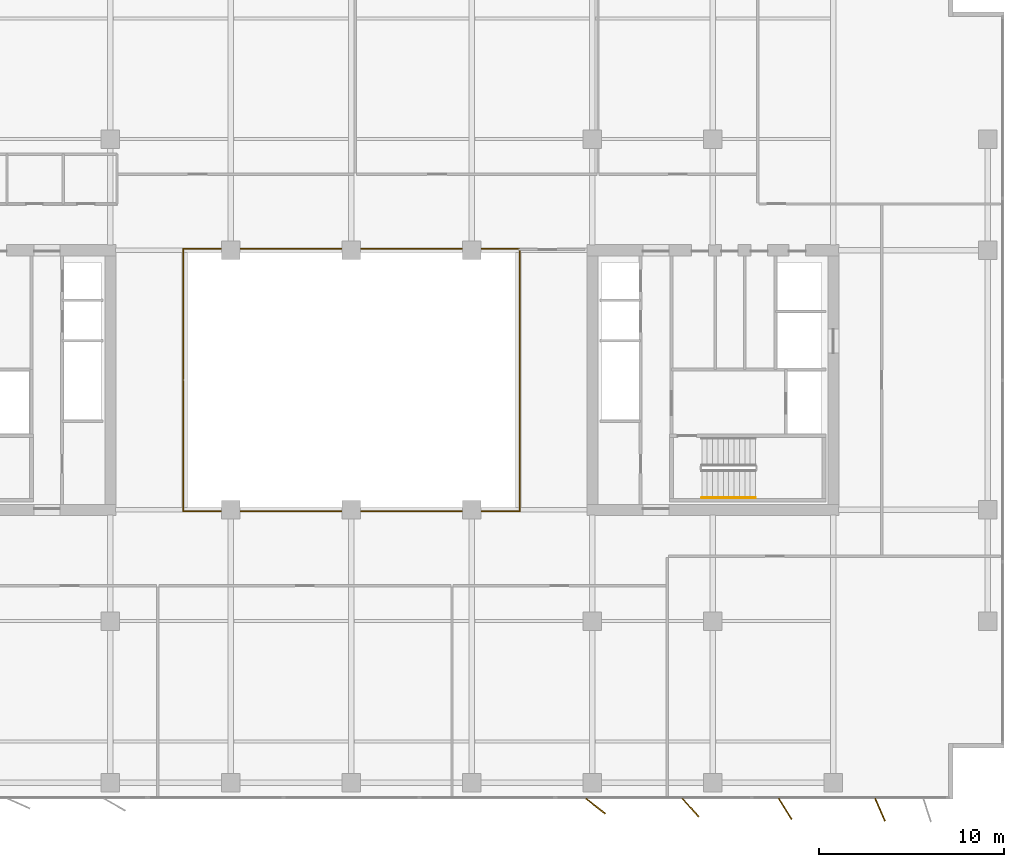
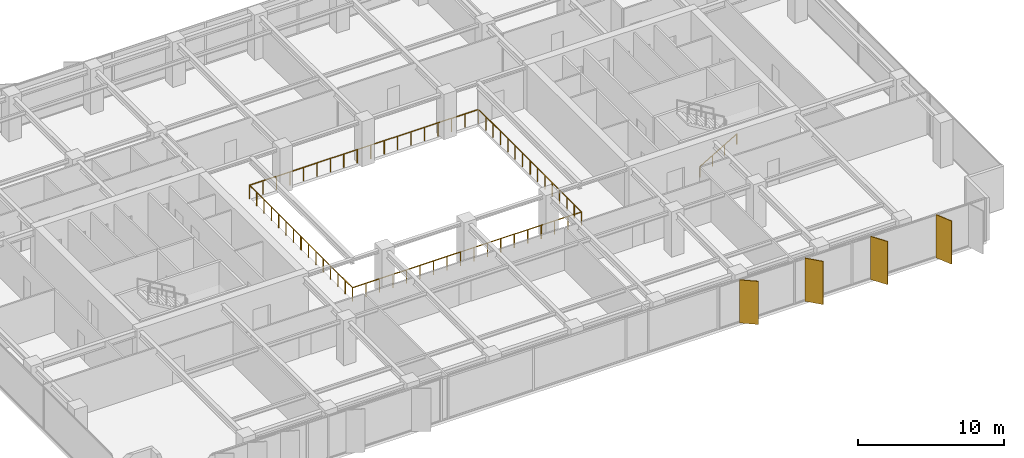
# One storey, part 20 of 22: 4 shading devices, 3 railings.
"""IFC4 building model written with IfcOpenShell, lengths in metres."""

from ifc_helpers import new_model, si_unit, direction, frame, origin, origin_2d, place, context, subcontext, project, spatial, rectangle, circle, extrude, material, layer, layer_set, type_object, element, save


model = new_model("IFC4")

# Units and contexts
model_context = context("Model", 3, precision=1e-05, world=origin(), true_north=direction((0.0, 1.0)))
body_context = subcontext(model_context, "Body", "Model", "MODEL_VIEW")
ifc_project = project(units=[si_unit("LENGTHUNIT", "METRE"), si_unit("AREAUNIT", "SQUARE_METRE"), si_unit("VOLUMEUNIT", "CUBIC_METRE"), si_unit("PLANEANGLEUNIT", "RADIAN"), si_unit("MASSUNIT", "GRAM", prefix="KILO")], contexts=[model_context])

# Site, building, storey
site_placement = place(None, origin())
site = spatial("IfcSite", under=ifc_project, at=site_placement, CompositionType="ELEMENT")
building_placement = place(site_placement, origin())
building = spatial("IfcBuilding", under=site, at=building_placement, Name="Putna Gate Headquarters", CompositionType="ELEMENT")
storey_placement = place(building_placement, frame((0.0, 0.0, 148.0)))
storey = spatial("IfcBuildingStorey", under=building, at=storey_placement, Name="L36", CompositionType="ELEMENT", Elevation=148.0)

# Railings
ifc_material_1 = material(Name="Anodised bronze and laminated glass atrium balustrade", Category="glass")
railing_type_1 = type_object("IfcRailingType", Name="RAIL-ATRIUM-GUARD-1150", PredefinedType="GUARDRAIL", material=ifc_material_1)
railing_1_placement = place(storey_placement, frame((29.919921875, 25.969970703125, 0.0)))
element("IfcRailing", 1, at=railing_1_placement, inside=storey, type_object=railing_type_1, Name="L36 Central Atrium Glazed Balustrade South", PredefinedType="GUARDRAIL", context=body_context, shape_type="SweptSolid", body=[
    extrude(circle(Radius=0.02392578125, at=origin_2d()), frame((0.0, 0.0, 1.1259765625), z_axis=(0.0, -1.0, 0.0), x_axis=(1.0, 0.0, 0.0)), (0.0, 0.0, 1.0), 7.050048828125),
    extrude(circle(Radius=0.02392578125, at=origin_2d()), frame((0.0, -7.050048828125, 1.1259765625), z_axis=(1.0, 0.0, 0.0), x_axis=(0.0, 1.0, 0.0)), (0.0, 0.0, 1.0), 18.16015625),
    extrude(circle(Radius=0.02392578125, at=origin_2d()), frame((18.16015625, -7.050048828125, 1.1259765625), z_axis=(0.0, 1.0, 0.0), x_axis=(-1.0, 0.0, 0.0)), (0.0, 0.0, 1.0), 7.050048828125),
    extrude(circle(Radius=0.02099609375, at=origin_2d()), origin(), (0.0, 0.0, 1.0), 1.101806640625),
    extrude(circle(Radius=0.02099609375, at=origin_2d()), frame((0.0, -1.007080078125, 0.0)), (0.0, 0.0, 1.0), 1.101806640625),
    extrude(circle(Radius=0.02099609375, at=origin_2d()), frame((0.0, -2.014404296875, 0.0)), (0.0, 0.0, 1.0), 1.101806640625),
    extrude(circle(Radius=0.02099609375, at=origin_2d()), frame((0.0, -3.021484375, 0.0)), (0.0, 0.0, 1.0), 1.101806640625),
    extrude(circle(Radius=0.02099609375, at=origin_2d()), frame((0.0, -4.028564453125, 0.0)), (0.0, 0.0, 1.0), 1.101806640625),
    extrude(circle(Radius=0.02099609375, at=origin_2d()), frame((0.0, -5.03564453125, 0.0)), (0.0, 0.0, 1.0), 1.101806640625),
    extrude(circle(Radius=0.02099609375, at=origin_2d()), frame((0.0, -6.04296875, 0.0)), (0.0, 0.0, 1.0), 1.101806640625),
    extrude(circle(Radius=0.02099609375, at=origin_2d()), frame((0.0, -7.050048828125, 0.0)), (0.0, 0.0, 1.0), 1.101806640625),
    extrude(circle(Radius=0.02099609375, at=origin_2d()), frame((1.068359375, -7.050048828125, 0.0)), (0.0, 0.0, 1.0), 1.101806640625),
    extrude(circle(Radius=0.02099609375, at=origin_2d()), frame((2.136474609375, -7.050048828125, 0.0)), (0.0, 0.0, 1.0), 1.101806640625),
    extrude(circle(Radius=0.02099609375, at=origin_2d()), frame((3.204833984375, -7.050048828125, 0.0)), (0.0, 0.0, 1.0), 1.101806640625),
    extrude(circle(Radius=0.02099609375, at=origin_2d()), frame((4.27294921875, -7.050048828125, 0.0)), (0.0, 0.0, 1.0), 1.101806640625),
    extrude(circle(Radius=0.02099609375, at=origin_2d()), frame((5.34130859375, -7.050048828125, 0.0)), (0.0, 0.0, 1.0), 1.101806640625),
    extrude(circle(Radius=0.02099609375, at=origin_2d()), frame((6.409423828125, -7.050048828125, 0.0)), (0.0, 0.0, 1.0), 1.101806640625),
    extrude(circle(Radius=0.02099609375, at=origin_2d()), frame((7.477783203125, -7.050048828125, 0.0)), (0.0, 0.0, 1.0), 1.101806640625),
    extrude(circle(Radius=0.02099609375, at=origin_2d()), frame((8.5458984375, -7.050048828125, 0.0)), (0.0, 0.0, 1.0), 1.101806640625),
    extrude(circle(Radius=0.02099609375, at=origin_2d()), frame((9.6142578125, -7.050048828125, 0.0)), (0.0, 0.0, 1.0), 1.101806640625),
    extrude(circle(Radius=0.02099609375, at=origin_2d()), frame((10.682373046875, -7.050048828125, 0.0)), (0.0, 0.0, 1.0), 1.101806640625),
    extrude(circle(Radius=0.02099609375, at=origin_2d()), frame((11.750732421875, -7.050048828125, 0.0)), (0.0, 0.0, 1.0), 1.101806640625),
    extrude(circle(Radius=0.02099609375, at=origin_2d()), frame((12.81884765625, -7.050048828125, 0.0)), (0.0, 0.0, 1.0), 1.101806640625),
    extrude(circle(Radius=0.02099609375, at=origin_2d()), frame((13.88720703125, -7.050048828125, 0.0)), (0.0, 0.0, 1.0), 1.101806640625),
    extrude(circle(Radius=0.02099609375, at=origin_2d()), frame((14.955322265625, -7.050048828125, 0.0)), (0.0, 0.0, 1.0), 1.101806640625),
    extrude(circle(Radius=0.02099609375, at=origin_2d()), frame((16.023681640625, -7.050048828125, 0.0)), (0.0, 0.0, 1.0), 1.101806640625),
    extrude(circle(Radius=0.02099609375, at=origin_2d()), frame((17.091796875, -7.050048828125, 0.0)), (0.0, 0.0, 1.0), 1.101806640625),
    extrude(circle(Radius=0.02099609375, at=origin_2d()), frame((18.16015625, -7.050048828125, 0.0)), (0.0, 0.0, 1.0), 1.101806640625),
    extrude(circle(Radius=0.02099609375, at=origin_2d()), frame((18.16015625, -6.04296875, 0.0)), (0.0, 0.0, 1.0), 1.101806640625),
    extrude(circle(Radius=0.02099609375, at=origin_2d()), frame((18.16015625, -5.03564453125, 0.0)), (0.0, 0.0, 1.0), 1.101806640625),
    extrude(circle(Radius=0.02099609375, at=origin_2d()), frame((18.16015625, -4.028564453125, 0.0)), (0.0, 0.0, 1.0), 1.101806640625),
    extrude(circle(Radius=0.02099609375, at=origin_2d()), frame((18.16015625, -3.021484375, 0.0)), (0.0, 0.0, 1.0), 1.101806640625),
    extrude(circle(Radius=0.02099609375, at=origin_2d()), frame((18.16015625, -2.014404296875, 0.0)), (0.0, 0.0, 1.0), 1.101806640625),
    extrude(circle(Radius=0.02099609375, at=origin_2d()), frame((18.16015625, -1.007080078125, 0.0)), (0.0, 0.0, 1.0), 1.101806640625),
    extrude(circle(Radius=0.02099609375, at=origin_2d()), frame((18.16015625, 0.0, 0.0)), (0.0, 0.0, 1.0), 1.101806640625),
])
railing_2_placement = place(storey_placement, frame((48.080078125, 26.030029296875, 0.0)))
element("IfcRailing", 2, at=railing_2_placement, inside=storey, type_object=railing_type_1, Name="L36 Central Atrium Glazed Balustrade North", PredefinedType="GUARDRAIL", context=body_context, shape_type="SweptSolid", body=[
    extrude(circle(Radius=0.02392578125, at=origin_2d()), frame((0.0, 0.0, 1.1259765625), z_axis=(0.0, 1.0, 0.0), x_axis=(-1.0, 0.0, 0.0)), (0.0, 0.0, 1.0), 7.050048828125),
    extrude(circle(Radius=0.02392578125, at=origin_2d()), frame((0.0, 7.050048828125, 1.1259765625), z_axis=(-1.0, 0.0, 0.0), x_axis=(0.0, -1.0, 0.0)), (0.0, 0.0, 1.0), 18.16015625),
    extrude(circle(Radius=0.02392578125, at=origin_2d()), frame((-18.16015625, 7.050048828125, 1.1259765625), z_axis=(0.0, -1.0, 0.0), x_axis=(1.0, 0.0, 0.0)), (0.0, 0.0, 1.0), 7.050048828125),
    extrude(circle(Radius=0.02099609375, at=origin_2d()), origin(), (0.0, 0.0, 1.0), 1.101806640625),
    extrude(circle(Radius=0.02099609375, at=origin_2d()), frame((0.0, 1.007080078125, 0.0)), (0.0, 0.0, 1.0), 1.101806640625),
    extrude(circle(Radius=0.02099609375, at=origin_2d()), frame((0.0, 2.014404296875, 0.0)), (0.0, 0.0, 1.0), 1.101806640625),
    extrude(circle(Radius=0.02099609375, at=origin_2d()), frame((0.0, 3.021484375, 0.0)), (0.0, 0.0, 1.0), 1.101806640625),
    extrude(circle(Radius=0.02099609375, at=origin_2d()), frame((0.0, 4.028564453125, 0.0)), (0.0, 0.0, 1.0), 1.101806640625),
    extrude(circle(Radius=0.02099609375, at=origin_2d()), frame((0.0, 5.03564453125, 0.0)), (0.0, 0.0, 1.0), 1.101806640625),
    extrude(circle(Radius=0.02099609375, at=origin_2d()), frame((0.0, 6.04296875, 0.0)), (0.0, 0.0, 1.0), 1.101806640625),
    extrude(circle(Radius=0.02099609375, at=origin_2d()), frame((0.0, 7.050048828125, 0.0)), (0.0, 0.0, 1.0), 1.101806640625),
    extrude(circle(Radius=0.02099609375, at=origin_2d()), frame((-1.068359375, 7.050048828125, 0.0)), (0.0, 0.0, 1.0), 1.101806640625),
    extrude(circle(Radius=0.02099609375, at=origin_2d()), frame((-2.136474609375, 7.050048828125, 0.0)), (0.0, 0.0, 1.0), 1.101806640625),
    extrude(circle(Radius=0.02099609375, at=origin_2d()), frame((-3.204833984375, 7.050048828125, 0.0)), (0.0, 0.0, 1.0), 1.101806640625),
    extrude(circle(Radius=0.02099609375, at=origin_2d()), frame((-4.27294921875, 7.050048828125, 0.0)), (0.0, 0.0, 1.0), 1.101806640625),
    extrude(circle(Radius=0.02099609375, at=origin_2d()), frame((-5.34130859375, 7.050048828125, 0.0)), (0.0, 0.0, 1.0), 1.101806640625),
    extrude(circle(Radius=0.02099609375, at=origin_2d()), frame((-6.409423828125, 7.050048828125, 0.0)), (0.0, 0.0, 1.0), 1.101806640625),
    extrude(circle(Radius=0.02099609375, at=origin_2d()), frame((-7.477783203125, 7.050048828125, 0.0)), (0.0, 0.0, 1.0), 1.101806640625),
    extrude(circle(Radius=0.02099609375, at=origin_2d()), frame((-8.5458984375, 7.050048828125, 0.0)), (0.0, 0.0, 1.0), 1.101806640625),
    extrude(circle(Radius=0.02099609375, at=origin_2d()), frame((-9.6142578125, 7.050048828125, 0.0)), (0.0, 0.0, 1.0), 1.101806640625),
    extrude(circle(Radius=0.02099609375, at=origin_2d()), frame((-10.682373046875, 7.050048828125, 0.0)), (0.0, 0.0, 1.0), 1.101806640625),
    extrude(circle(Radius=0.02099609375, at=origin_2d()), frame((-11.750732421875, 7.050048828125, 0.0)), (0.0, 0.0, 1.0), 1.101806640625),
    extrude(circle(Radius=0.02099609375, at=origin_2d()), frame((-12.81884765625, 7.050048828125, 0.0)), (0.0, 0.0, 1.0), 1.101806640625),
    extrude(circle(Radius=0.02099609375, at=origin_2d()), frame((-13.88720703125, 7.050048828125, 0.0)), (0.0, 0.0, 1.0), 1.101806640625),
    extrude(circle(Radius=0.02099609375, at=origin_2d()), frame((-14.955322265625, 7.050048828125, 0.0)), (0.0, 0.0, 1.0), 1.101806640625),
    extrude(circle(Radius=0.02099609375, at=origin_2d()), frame((-16.023681640625, 7.050048828125, 0.0)), (0.0, 0.0, 1.0), 1.101806640625),
    extrude(circle(Radius=0.02099609375, at=origin_2d()), frame((-17.091796875, 7.050048828125, 0.0)), (0.0, 0.0, 1.0), 1.101806640625),
    extrude(circle(Radius=0.02099609375, at=origin_2d()), frame((-18.16015625, 7.050048828125, 0.0)), (0.0, 0.0, 1.0), 1.101806640625),
    extrude(circle(Radius=0.02099609375, at=origin_2d()), frame((-18.16015625, 6.04296875, 0.0)), (0.0, 0.0, 1.0), 1.101806640625),
    extrude(circle(Radius=0.02099609375, at=origin_2d()), frame((-18.16015625, 5.03564453125, 0.0)), (0.0, 0.0, 1.0), 1.101806640625),
    extrude(circle(Radius=0.02099609375, at=origin_2d()), frame((-18.16015625, 4.028564453125, 0.0)), (0.0, 0.0, 1.0), 1.101806640625),
    extrude(circle(Radius=0.02099609375, at=origin_2d()), frame((-18.16015625, 3.021484375, 0.0)), (0.0, 0.0, 1.0), 1.101806640625),
    extrude(circle(Radius=0.02099609375, at=origin_2d()), frame((-18.16015625, 2.014404296875, 0.0)), (0.0, 0.0, 1.0), 1.101806640625),
    extrude(circle(Radius=0.02099609375, at=origin_2d()), frame((-18.16015625, 1.007080078125, 0.0)), (0.0, 0.0, 1.0), 1.101806640625),
    extrude(circle(Radius=0.02099609375, at=origin_2d()), frame((-18.16015625, 0.0, 0.0)), (0.0, 0.0, 1.0), 1.101806640625),
])
ifc_material_2 = material(Name="Brushed stainless steel handrail", Category="steel")
railing_type_2 = type_object("IfcRailingType", Name="RAIL-STAIR-HAND-900", PredefinedType="HANDRAIL", material=ifc_material_2)
railing_3_placement = place(storey_placement, frame((57.89990234375, 19.64990234375, 0.172607421875)))
element("IfcRailing", 3, at=railing_3_placement, inside=storey, type_object=railing_type_2, Name="L36 ST2 stair handrail 1", PredefinedType="HANDRAIL", context=body_context, shape_type="SweptSolid", body=[
    extrude(circle(Radius=0.02392578125, at=origin_2d()), frame((0.0, 0.0, 0.8759765625), z_axis=(0.859160404282, 0.0, 0.51170636083), x_axis=(0.0, 1.0, 0.0)), (0.0, 0.0, 1.0), 3.37548828125),
    extrude(circle(Radius=0.02099609375, at=origin_2d()), origin(), (0.0, 0.0, 1.0), 0.851806640625),
    extrude(circle(Radius=0.02099609375, at=origin_2d()), frame((0.966796875, 0.0, 0.57568359375)), (0.0, 0.0, 1.0), 0.851806640625),
    extrude(circle(Radius=0.02099609375, at=origin_2d()), frame((1.933349609375, 0.0, 1.151611328125)), (0.0, 0.0, 1.0), 0.851806640625),
    extrude(circle(Radius=0.02099609375, at=origin_2d()), frame((2.900146484375, 0.0, 1.727294921875)), (0.0, 0.0, 1.0), 0.851806640625),
])

# Shading devices
ifc_material_3 = material(Name="Anodised architectural bronze aluminium fin", Category="aluminium")
ifc_layer = layer(ifc_material_3, 0.06494140625)
ifc_layer_set = layer_set([ifc_layer], Name="Anodised architectural bronze aluminium fin")
shading_device_type = type_object("IfcShadingDeviceType", Name="SHADE-BRONZE-FIN-1320", PredefinedType="USERDEFINED", material=ifc_layer_set)
for number, where, z_axis, x_axis, name in (
    (4, (52.169677734375, 3.018310546875, -0.02001953125), (0.0, 0.0, 1.0), (0.787473187632, -0.616348909921, 0.0), "L36 Bronze Vertical Shading Fin S7"),
    (5, (57.29150390625, 2.9345703125, -0.02001953125), (0.0, 0.0, 1.0), (0.669130606359, -0.743144825477, 0.0), "L36 Bronze Vertical Shading Fin S8"),
    (6, (62.400146484375, 2.865478515625, -0.02001953125), (0.0, 0.0, 1.0), (0.530659123936, -0.847585331506, 0.0), "L36 Bronze Vertical Shading Fin S9"),
    (7, (67.514404296875, 2.8203125, -0.02001953125), (0.0, 0.0, 1.0), (0.400668879095, -0.916222925562, 0.0), "L36 Bronze Vertical Shading Fin S10"),
):
    element("IfcShadingDevice", number, at=place(storey_placement, frame(where, z_axis=z_axis, x_axis=x_axis)), inside=storey, type_object=shading_device_type, Name=name, ObjectType="FIN", PredefinedType="USERDEFINED", context=body_context, shape_type="SweptSolid", body=[
        extrude(rectangle(XDim=1.320068359375, YDim=0.06494140625, at=origin_2d()), origin(), (0.0, 0.0, 1.0), 3.612060546875),
    ])

save(model, "model.ifc")
